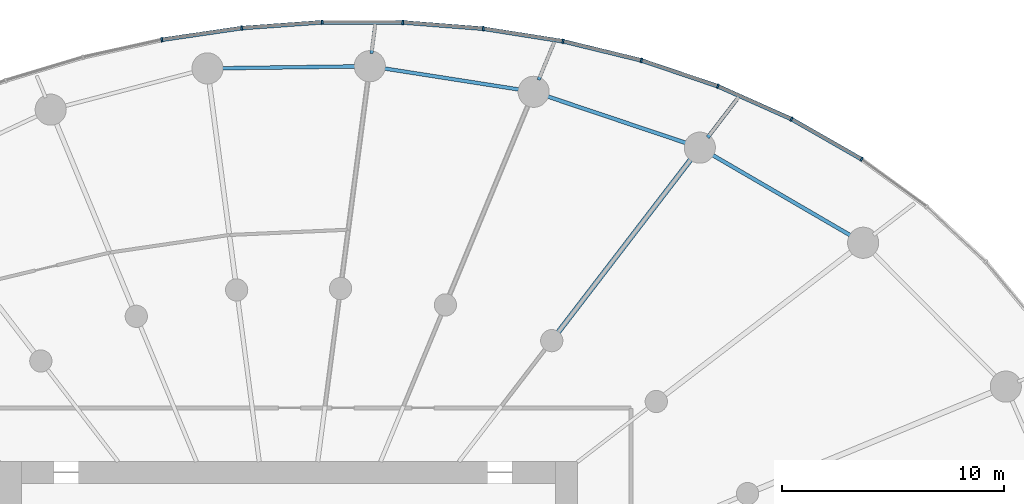
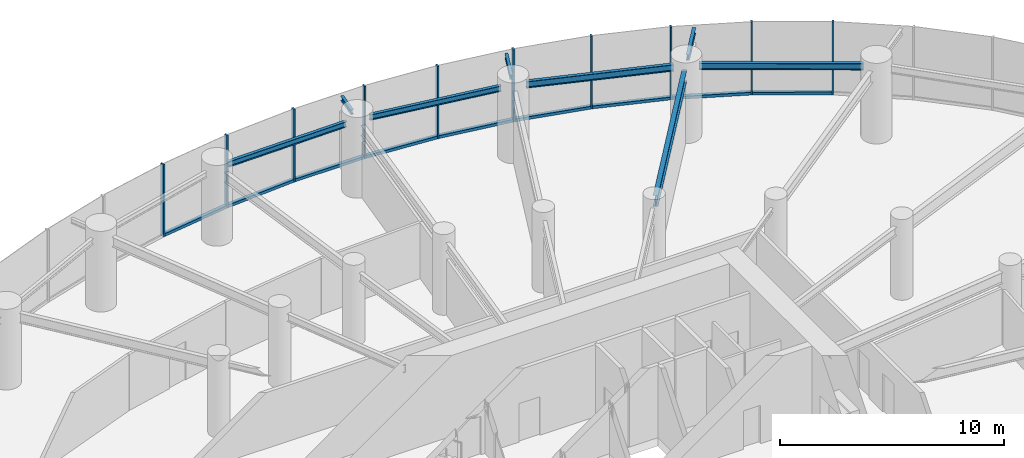
# One storey, part 8 of 19: 19 members, 8 beams, 2 elements without a shape of their own.
"""IFC4 building model written with IfcOpenShell, lengths in metres."""

import ifcopenshell
import ifcopenshell.guid

model = None  # the IFC model being written
_history = None  # IfcOwnerHistory: only IFC2X3 demands one
_inside = {}  # id of a spatial element -> (the spatial element, [elements in it])
_under = {}  # id of a project, library or spatial element -> (it, [spatial elements below it])
_declared = {}  # id of a project -> (the project, [libraries it declares])
_typed = {}  # id of a type object -> (the type object, [elements of that type])
_made_of = {}  # id of a material, layer set ... -> (it, [elements and type objects made of it])


def new_model(schema):
    """Start an empty IFC model of exactly this schema.

    Asked for "IFC4X3", IfcOpenShell would pick the latest addendum, in which some entities
    have other attributes; the version numbers below select the first issue.
    IFC2X3 requires an IfcOwnerHistory on every rooted entity: one is made here for all.
    """
    global model, _history
    if schema == "IFC4X3":
        model = ifcopenshell.file(schema_version=(4, 3, 0, 0))
    else:
        model = ifcopenshell.file(schema=schema)
    _inside.clear()
    _under.clear()
    _declared.clear()
    _typed.clear()
    _made_of.clear()
    _history = None
    if model.schema == "IFC2X3":
        org = make("IfcOrganization", Name="unknown")
        user = make(
            "IfcPersonAndOrganization",
            ThePerson=make("IfcPerson", FamilyName="unknown"),
            TheOrganization=org,
        )
        app = make(
            "IfcApplication",
            ApplicationDeveloper=org,
            Version="unknown",
            ApplicationFullName="unknown",
            ApplicationIdentifier="unknown",
        )
        _history = make(
            "IfcOwnerHistory",
            OwningUser=user,
            OwningApplication=app,
            ChangeAction="ADDED",
            CreationDate=0,
        )
    return model


def make(cls, **values):
    """One entity of the class cls with the attributes given. An attribute that is None is left unset."""
    return model.create_entity(
        cls, **{name: value for name, value in values.items() if value is not None}
    )


def rooted(cls, **values):
    """An entity with a GlobalId (a new one), such as an element, a storey or a relation."""
    return make(cls, GlobalId=ifcopenshell.guid.new(), OwnerHistory=_history, **values)


def si_unit(unit_type, name, prefix=None):
    """IfcSIUnit, for example si_unit("LENGTHUNIT", "METRE", prefix="MILLI")."""
    return make("IfcSIUnit", UnitType=unit_type, Prefix=prefix, Name=name)


def assignment(units):
    """IfcUnitAssignment: the units of a project."""
    return None if units is None else make("IfcUnitAssignment", Units=units)


def point(xyz):
    """IfcCartesianPoint."""
    return None if xyz is None else make("IfcCartesianPoint", Coordinates=xyz)


def direction(xyz):
    """IfcDirection."""
    return None if xyz is None else make("IfcDirection", DirectionRatios=xyz)


def frame(location, z_axis=None, x_axis=None):
    """IfcAxis2Placement3D, a coordinate frame: its origin and axes. An axis left out is left unset."""
    return make(
        "IfcAxis2Placement3D",
        Location=point(location),
        Axis=direction(z_axis),
        RefDirection=direction(x_axis),
    )


def frame_2d(location, x_axis=None):
    """IfcAxis2Placement2D, a coordinate frame in the plane: its origin and x axis."""
    return make(
        "IfcAxis2Placement2D", Location=point(location), RefDirection=direction(x_axis)
    )


def origin():
    """The frame at (0, 0, 0) with its axes left unset."""
    return frame((0.0, 0.0, 0.0))


def origin_2d():
    """The frame at (0, 0) in the plane with its x axis left unset."""
    return frame_2d((0.0, 0.0))


def place(relative_to, where):
    """IfcLocalPlacement: puts the frame where relative to a parent placement (None: the world)."""
    return make(
        "IfcLocalPlacement", PlacementRelTo=relative_to, RelativePlacement=where
    )


def context(
    kind, dimensions, precision=None, world=None, true_north=None, identifier=None
):
    """IfcGeometricRepresentationContext, for example the 3D "Model" context."""
    return make(
        "IfcGeometricRepresentationContext",
        ContextIdentifier=identifier,
        ContextType=kind,
        CoordinateSpaceDimension=dimensions,
        Precision=precision,
        WorldCoordinateSystem=world,
        TrueNorth=true_north,
    )


def subcontext(parent, identifier, kind, view, scale=None):
    """IfcGeometricRepresentationSubContext, for example "Body" below "Model"."""
    return make(
        "IfcGeometricRepresentationSubContext",
        ContextIdentifier=identifier,
        ContextType=kind,
        ParentContext=parent,
        TargetScale=scale,
        TargetView=view,
    )


def project(units=None, contexts=None):
    """IfcProject with its units and contexts."""
    return rooted(
        "IfcProject",
        Name="project",
        RepresentationContexts=contexts,
        UnitsInContext=assignment(units),
    )


def spatial(cls, under=None, at=None, **own):
    """A site, building, storey or space (cls), placed at a placement, below another one or the project."""
    s = rooted(cls, ObjectPlacement=at, **own)
    if under is not None:
        _under.setdefault(under.id(), (under, []))[1].append(s)
    return s


def profile(cls, at=None, kind="AREA", **sizes):
    """A parametric profile (cls). Its sizes go by their IFC names, for example OverallWidth=200.0."""
    return make(cls, ProfileType=kind, Position=at, **sizes)


def rectangle(**sizes):
    """IfcRectangleProfileDef."""
    return profile("IfcRectangleProfileDef", **sizes)


def i_section(**sizes):
    """IfcIShapeProfileDef."""
    return profile("IfcIShapeProfileDef", **sizes)


def extrude(swept, where, along, depth):
    """IfcExtrudedAreaSolid: the profile swept, set in the frame where, extruded along a direction by depth."""
    return make(
        "IfcExtrudedAreaSolid",
        SweptArea=swept,
        Position=where,
        ExtrudedDirection=direction(along),
        Depth=depth,
    )


def shape(context_of_items, identifier, shape_type, items):
    """IfcShapeRepresentation: the items that make up one representation, for example the "Body"."""
    return make(
        "IfcShapeRepresentation",
        ContextOfItems=context_of_items,
        RepresentationIdentifier=identifier,
        RepresentationType=shape_type,
        Items=items,
    )


def source(mapping_origin, context_of_items, identifier, shape_type, items):
    """IfcRepresentationMap: a shape defined once, which mapped items show again and again."""
    return make(
        "IfcRepresentationMap",
        MappingOrigin=mapping_origin,
        MappedRepresentation=shape(context_of_items, identifier, shape_type, items),
    )


def transform(
    local_origin,
    x_axis=None,
    y_axis=None,
    z_axis=None,
    scale=None,
    scale2=None,
    scale3=None,
    uniform=True,
):
    """IfcCartesianTransformationOperator3D, or its non-uniform kind. x_axis, y_axis, z_axis: its Axis1, 2, 3."""
    if uniform:
        return make(
            "IfcCartesianTransformationOperator3D",
            Axis1=direction(x_axis),
            Axis2=direction(y_axis),
            LocalOrigin=point(local_origin),
            Scale=scale,
            Axis3=direction(z_axis),
        )
    return make(
        "IfcCartesianTransformationOperator3DnonUniform",
        Axis1=direction(x_axis),
        Axis2=direction(y_axis),
        LocalOrigin=point(local_origin),
        Scale=scale,
        Axis3=direction(z_axis),
        Scale2=scale2,
        Scale3=scale3,
    )


def mapped(mapping_source, mapping_target):
    """IfcMappedItem: shows the shape of a source again, moved by a transform."""
    return make(
        "IfcMappedItem", MappingSource=mapping_source, MappingTarget=mapping_target
    )


def material(Name=None, Category=None):
    """IfcMaterial."""
    return make("IfcMaterial", Name=Name, Category=Category)


def layer(
    of_material, thickness, ventilated=None, Name=None, Category=None, Priority=None
):
    """IfcMaterialLayer: one layer of a wall or slab, of a material (None: an air gap)."""
    return make(
        "IfcMaterialLayer",
        Material=of_material,
        LayerThickness=thickness,
        IsVentilated=ventilated,
        Name=Name,
        Category=Category,
        Priority=Priority,
    )


def layer_set(layers, Name=None):
    """IfcMaterialLayerSet."""
    return make("IfcMaterialLayerSet", MaterialLayers=layers, LayerSetName=Name)


def material_profile(
    of_material, cross_section, Name=None, Category=None, Priority=None
):
    """IfcMaterialProfile: a cross section and its material."""
    return make(
        "IfcMaterialProfile",
        Name=Name,
        Material=of_material,
        Profile=cross_section,
        Priority=Priority,
        Category=Category,
    )


def profile_set(profiles, Name=None, composite=None):
    """IfcMaterialProfileSet."""
    return make(
        "IfcMaterialProfileSet",
        Name=Name,
        MaterialProfiles=profiles,
        CompositeProfile=composite,
    )


def made_of(thing, what):
    """Note that an element or type object is made of a material, layer set ...; save() writes the relation."""
    if what is not None:
        _made_of.setdefault(what.id(), (what, []))[1].append(thing)
    return thing


def type_object(cls, material=None, **own):
    """A type object (cls), such as IfcWallType, which elements share."""
    return made_of(rooted(cls, **own), material)


def element(
    cls,
    number,
    at=None,
    inside=None,
    cuts=None,
    type_object=None,
    material=None,
    context=None,
    identifier="Body",
    shape_type=None,
    held_by="IfcProductDefinitionShape",
    body=None,
    shapes=None,
    **own,
):
    """One element of the class cls, such as IfcWall. Its Tag is "e" and its number.

    at: its placement. inside: the storey or other place that contains it. cuts: it is an
    opening in that element (IfcRelVoidsElement). A single representation is given by context,
    identifier, shape_type and body (its items); several are given by shapes. held_by: the class
    of the entity that holds the representations. save() writes the other relations.
    """
    e = rooted(cls, Tag="e%d" % number, ObjectPlacement=at, **own)
    if body is not None:
        shapes = [shape(context, identifier, shape_type, body)]
    if shapes is not None:
        e.Representation = make(held_by, Representations=shapes)
    if inside is not None:
        _inside.setdefault(inside.id(), (inside, []))[1].append(e)
    if cuts is not None:
        rooted(
            "IfcRelVoidsElement", RelatingBuildingElement=cuts, RelatedOpeningElement=e
        )
    if type_object is not None:
        _typed.setdefault(type_object.id(), (type_object, []))[1].append(e)
    return made_of(e, material)


def aggregate(whole, parts):
    """IfcRelAggregates: a whole, such as a stair, and the parts it consists of."""
    return rooted("IfcRelAggregates", RelatingObject=whole, RelatedObjects=parts)


def save(model, path):
    """Write the relations noted so far, then the file.

    IfcRelAggregates (storeys below a building ...), IfcRelContainedInSpatialStructure (elements
    in a storey), IfcRelDefinesByType, IfcRelAssociatesMaterial and IfcRelDeclares: one each for
    every whole, place, type object, material and project.
    """
    for whole, parts in _under.values():
        aggregate(whole, parts)
    for where, things in _inside.values():
        rooted(
            "IfcRelContainedInSpatialStructure",
            RelatedElements=things,
            RelatingStructure=where,
        )
    for kind, things in _typed.values():
        rooted("IfcRelDefinesByType", RelatedObjects=things, RelatingType=kind)
    for what, things in _made_of.values():
        rooted("IfcRelAssociatesMaterial", RelatedObjects=things, RelatingMaterial=what)
    for by, libraries in _declared.values():
        rooted("IfcRelDeclares", RelatingContext=by, RelatedDefinitions=libraries)
    model.write(path)


model = new_model("IFC4")

# Units and contexts
model_context = context("Model", 3, precision=1e-05, world=origin(), true_north=direction((0.0, 1.0)))
body_context = subcontext(model_context, "Body", "Model", "MODEL_VIEW")
ifc_project = project(units=[si_unit("LENGTHUNIT", "METRE"), si_unit("AREAUNIT", "SQUARE_METRE"), si_unit("VOLUMEUNIT", "CUBIC_METRE"), si_unit("PLANEANGLEUNIT", "RADIAN"), si_unit("MASSUNIT", "GRAM", prefix="KILO")], contexts=[model_context])

# Site, building, storey
site_placement = place(None, origin())
site = spatial("IfcSite", under=ifc_project, at=site_placement, CompositionType="ELEMENT")
building_placement = place(site_placement, origin())
building = spatial("IfcBuilding", under=site, at=building_placement, Name="Spindrift Exchange Tower", CompositionType="ELEMENT")
storey_placement = place(building_placement, frame((0.0, 0.0, 44.60009765625)))
storey = spatial("IfcBuildingStorey", under=building, at=storey_placement, Name="L10", CompositionType="ELEMENT", Elevation=44.60009765625)

# Beams
ifc_material_1 = material(Name="Steel Grade 300", Category="steel")
ifc_material_profile_1 = material_profile(ifc_material_1, i_section(OverallWidth=0.22802734375, OverallDepth=0.60693359375, WebThickness=0.01123046875, FlangeThickness=0.017333984375, FilletRadius=0.013916015625, at=origin_2d()), Name="610UB113")
ifc_profile_set_1 = profile_set([ifc_material_profile_1], Name="Steel Grade 300")
beam_type_1 = type_object("IfcBeamType", Name="Floor Beam 610UB113 Steel Grade 300", PredefinedType="BEAM", material=ifc_profile_set_1)
shared_shape_1 = source(origin(), body_context, "Body", "SweptSolid", [
    extrude(i_section(OverallWidth=0.22802734375, OverallDepth=0.60693359375, WebThickness=0.01123046875, FlangeThickness=0.017333984375, FilletRadius=0.013916015625, at=origin_2d()), origin(), (0.0, 0.0, 1.0), 9.87548828125),
])
beam_1_placement = place(storey_placement, frame((64.127197265625, 63.8046875, 3.646484375), z_axis=(0.608772470836, 0.793344867477, 0.0), x_axis=(-0.793344867477, 0.608772470836, 0.0)))
element("IfcBeam", 1, at=beam_1_placement, inside=storey, type_object=beam_type_1, Name="L10 radial beam R04B", PredefinedType="BEAM", context=body_context, shape_type="MappedRepresentation", body=[
    mapped(shared_shape_1, transform((0.0, 0.0, 0.0), scale=1.0)),
])
ifc_material_profile_2 = material_profile(ifc_material_1, i_section(OverallWidth=0.172119140625, OverallDepth=0.35888671875, WebThickness=0.008056640625, FlangeThickness=0.012939453125, FilletRadius=0.013916015625, at=origin_2d()), Name="360UB56.7")
ifc_profile_set_2 = profile_set([ifc_material_profile_2], Name="Steel Grade 300")
beam_type_2 = type_object("IfcBeamType", Name="Edge Beam 360UB56.7 Steel Grade 300", PredefinedType="SPANDREL", material=ifc_profile_set_2)
shared_shape_2 = source(origin(), body_context, "Body", "SweptSolid", [
    extrude(i_section(OverallWidth=0.172119140625, OverallDepth=0.35888671875, WebThickness=0.008056640625, FlangeThickness=0.012939453125, FilletRadius=0.013916015625, at=origin_2d()), origin(), (0.0, 0.0, 1.0), 7.33740234375),
])
beam_2_placement = place(storey_placement, frame((77.33447265625, 68.1162109375, 3.7705078125), z_axis=(-0.864211826308, 0.503128134047, 0.0), x_axis=(-0.503128134047, -0.864211826308, 0.0)))
element("IfcBeam", 2, at=beam_2_placement, inside=storey, type_object=beam_type_2, Name="L10 edge beam E03", PredefinedType="SPANDREL", context=body_context, shape_type="MappedRepresentation", body=[
    mapped(shared_shape_2, transform((0.0, 0.0, 0.0), scale=1.0)),
])
shared_shape_3 = source(origin(), body_context, "Body", "SweptSolid", [
    extrude(i_section(OverallWidth=0.172119140625, OverallDepth=0.35888671875, WebThickness=0.008056640625, FlangeThickness=0.012939453125, FilletRadius=0.013916015625, at=origin_2d()), origin(), (0.0, 0.0, 1.0), 6.72021484375),
])
beam_3_placement = place(storey_placement, frame((69.9423828125, 72.28466796875, 3.7705078125), z_axis=(-0.947851749681, 0.318711563372, 0.0), x_axis=(-0.318711563372, -0.947851749681, 0.0)))
element("IfcBeam", 3, at=beam_3_placement, inside=storey, type_object=beam_type_2, Name="L10 edge beam E04", PredefinedType="SPANDREL", context=body_context, shape_type="MappedRepresentation", body=[
    mapped(shared_shape_3, transform((0.0, 0.0, 0.0), scale=1.0)),
])
ifc_material_profile_3 = material_profile(ifc_material_1, i_section(OverallWidth=0.1650390625, OverallDepth=0.303955078125, WebThickness=0.006103515625, FlangeThickness=0.01025390625, FilletRadius=0.011474609375, at=origin_2d()), Name="310UB40.4")
ifc_profile_set_3 = profile_set([ifc_material_profile_3], Name="Steel Grade 300")
beam_type_3 = type_object("IfcBeamType", Name="Edge Beam 310UB40.4 Steel Grade 300", PredefinedType="SPANDREL", material=ifc_profile_set_3)
shared_shape_4 = source(origin(), body_context, "Body", "SweptSolid", [
    extrude(i_section(OverallWidth=0.1650390625, OverallDepth=0.303955078125, WebThickness=0.006103515625, FlangeThickness=0.01025390625, FilletRadius=0.011474609375, at=origin_2d()), origin(), (0.0, 0.0, 1.0), 6.297119140625),
])
beam_4_placement = place(storey_placement, frame((62.44970703125, 74.70068359375, 3.7978515625), z_axis=(-0.98802902915, 0.154268070436, 0.0), x_axis=(-0.154268070436, -0.98802902915, 0.0)))
element("IfcBeam", 4, at=beam_4_placement, inside=storey, type_object=beam_type_3, Name="L10 edge beam E05", PredefinedType="SPANDREL", context=body_context, shape_type="MappedRepresentation", body=[
    mapped(shared_shape_4, transform((0.0, 0.0, 0.0), scale=1.0)),
])
shared_shape_5 = source(origin(), body_context, "Body", "SweptSolid", [
    extrude(i_section(OverallWidth=0.1650390625, OverallDepth=0.303955078125, WebThickness=0.006103515625, FlangeThickness=0.01025390625, FilletRadius=0.011474609375, at=origin_2d()), origin(), (0.0, 0.0, 1.0), 6.13720703125),
])
beam_5_placement = place(storey_placement, frame((55.074951171875, 75.75341796875, 3.7978515625), z_axis=(-0.999905820907, -0.013724041543, 0.0), x_axis=(0.013724041543, -0.999905820907, 0.0)))
element("IfcBeam", 5, at=beam_5_placement, inside=storey, type_object=beam_type_3, Name="L10 edge beam E06", PredefinedType="SPANDREL", context=body_context, shape_type="MappedRepresentation", body=[
    mapped(shared_shape_5, transform((0.0, 0.0, 0.0), scale=1.0)),
])
ifc_material_profile_4 = material_profile(ifc_material_1, i_section(OverallWidth=0.1650390625, OverallDepth=0.303955078125, WebThickness=0.006103515625, FlangeThickness=0.01025390625, FilletRadius=0.011474609375, at=origin_2d()), Name="310UB40.4")
ifc_profile_set_4 = profile_set([ifc_material_profile_4], Name="Steel Grade 300")
beam_type_4 = type_object("IfcBeamType", Name="Cantilever Beam 310UB40.4 Steel Grade 300", PredefinedType="BEAM", material=ifc_profile_set_4)
shared_shape_6 = source(origin(), body_context, "Body", "SweptSolid", [
    extrude(i_section(OverallWidth=0.1650390625, OverallDepth=0.303955078125, WebThickness=0.006103515625, FlangeThickness=0.01025390625, FilletRadius=0.011474609375, at=origin_2d()), origin(), (0.0, 0.0, 1.0), 2.16064453125),
])
beam_6_placement = place(storey_placement, frame((70.845458984375, 72.559814453125, 3.7978515625), z_axis=(0.60873278131, 0.793375321622, 0.0), x_axis=(-0.793375321622, 0.60873278131, 0.0)))
element("IfcBeam", 6, at=beam_6_placement, inside=storey, type_object=beam_type_4, Name="L10 cantilever beam R04T", PredefinedType="BEAM", context=body_context, shape_type="MappedRepresentation", body=[
    mapped(shared_shape_6, transform((0.0, 0.0, 0.0), scale=1.0)),
])
ifc_material_profile_5 = material_profile(ifc_material_1, i_section(OverallWidth=0.14599609375, OverallDepth=0.251953125, WebThickness=0.006103515625, FlangeThickness=0.008544921875, FilletRadius=0.011962890625, at=origin_2d()), Name="250UB31.4")
ifc_profile_set_5 = profile_set([ifc_material_profile_5], Name="Steel Grade 300")
beam_type_5 = type_object("IfcBeamType", Name="Cantilever Beam 250UB31.4 Steel Grade 300", PredefinedType="BEAM", material=ifc_profile_set_5)
shared_shape_7 = source(origin(), body_context, "Body", "SweptSolid", [
    extrude(i_section(OverallWidth=0.14599609375, OverallDepth=0.251953125, WebThickness=0.006103515625, FlangeThickness=0.008544921875, FilletRadius=0.011962890625, at=origin_2d()), origin(), (0.0, 0.0, 1.0), 1.72216796875),
])
beam_7_placement = place(storey_placement, frame((63.244873046875, 75.147216796875, 3.823974609375), z_axis=(0.382631424892, 0.923901072997, 0.0), x_axis=(-0.923901072997, 0.382631424892, 0.0)))
element("IfcBeam", 7, at=beam_7_placement, inside=storey, type_object=beam_type_5, Name="L10 cantilever beam R05T", PredefinedType="BEAM", context=body_context, shape_type="MappedRepresentation", body=[
    mapped(shared_shape_7, transform((0.0, 0.0, 0.0), scale=1.0)),
])
shared_shape_8 = source(origin(), body_context, "Body", "SweptSolid", [
    extrude(i_section(OverallWidth=0.14599609375, OverallDepth=0.251953125, WebThickness=0.006103515625, FlangeThickness=0.008544921875, FilletRadius=0.011962890625, at=origin_2d()), origin(), (0.0, 0.0, 1.0), 1.208740234375),
])
beam_8_placement = place(storey_placement, frame((55.730712890625, 76.33642578125, 3.823974609375), z_axis=(0.130271649793, 0.991478339279, 0.0), x_axis=(-0.991478339279, 0.130271649793, 0.0)))
element("IfcBeam", 8, at=beam_8_placement, inside=storey, type_object=beam_type_5, Name="L10 cantilever beam R06T", PredefinedType="BEAM", context=body_context, shape_type="MappedRepresentation", body=[
    mapped(shared_shape_8, transform((0.0, 0.0, 0.0), scale=1.0)),
])

# Curtain wall, members
ifc_material_2 = material(Name="Fritted laminated glass with bronze frame", Category="glass")
ifc_layer = layer(ifc_material_2, 0.199951171875)
ifc_layer_set = layer_set([ifc_layer], Name="ZONE 1 BRONZE FRITTED WALL")
curtain_wall_type = type_object("IfcCurtainWallType", Name="ZONE 1 BRONZE FRITTED WALL", PredefinedType="NOTDEFINED", material=ifc_layer_set)
curtain_wall_1_placement = place(storey_placement, origin())
curtain_wall_1 = element("IfcCurtainWall", 9, at=curtain_wall_1_placement, inside=storey, type_object=curtain_wall_type, Name="L10 Zone 1 Bronze Fritted Wall run 2", PredefinedType="NOTDEFINED")
ifc_material_3 = material(Name="Bronze anodised aluminium", Category="aluminium")
ifc_material_profile_6 = material_profile(ifc_material_3, rectangle(XDim=0.080078125, YDim=0.199951171875, at=origin_2d()), Name="ZONE 1 BRONZE FRITTED WALL MULLION 80X200")
ifc_profile_set_6 = profile_set([ifc_material_profile_6], Name="Bronze anodised aluminium")
member_type_1 = type_object("IfcMemberType", Name="ZONE 1 BRONZE FRITTED WALL MULLION 80X200", PredefinedType="MULLION", material=ifc_profile_set_6)
shared_shape_9 = source(origin(), body_context, "Body", "SweptSolid", [
    extrude(rectangle(XDim=0.080078125, YDim=0.199951171875, at=origin_2d()), origin(), (0.0, 0.0, 1.0), 3.949951171875),
])
member_1_placement = place(storey_placement, frame((77.75927734375, 71.58154296875, 0.0), z_axis=(0.0, 0.0, 1.0), x_axis=(-0.839186650102, 0.543843512687, 0.0)))
member_1 = element("IfcMember", 10, at=member_1_placement, type_object=member_type_1, Name="L10 mullion CW-1.7", PredefinedType="MULLION", context=body_context, shape_type="MappedRepresentation", body=[
    mapped(shared_shape_9, transform((0.0, 0.0, 0.0), scale=1.0)),
])
member_2_placement = place(storey_placement, frame((74.612548828125, 73.384521484375, 0.0), z_axis=(0.0, 0.0, 1.0), x_axis=(-0.891595554501, 0.452832603943, 0.0)))
member_2 = element("IfcMember", 11, at=member_2_placement, type_object=member_type_1, Name="L10 mullion CW-1.8", PredefinedType="MULLION", context=body_context, shape_type="MappedRepresentation", body=[
    mapped(shared_shape_9, transform((0.0, 0.0, 0.0), scale=1.0)),
])
member_3_placement = place(storey_placement, frame((71.30029296875, 74.862060546875, 0.0), z_axis=(0.0, 0.0, 1.0), x_axis=(-0.931267956619, 0.364335001029, 0.0)))
member_3 = element("IfcMember", 12, at=member_3_placement, type_object=member_type_1, Name="L10 mullion CW-1.9", PredefinedType="MULLION", context=body_context, shape_type="MappedRepresentation", body=[
    mapped(shared_shape_9, transform((0.0, 0.0, 0.0), scale=1.0)),
])
member_4_placement = place(storey_placement, frame((67.86474609375, 76.0244140625, 0.0), z_axis=(0.0, 0.0, 1.0), x_axis=(-0.960329445351, 0.278867990978, 0.0)))
member_4 = element("IfcMember", 13, at=member_4_placement, type_object=member_type_1, Name="L10 mullion CW-1.10", PredefinedType="MULLION", context=body_context, shape_type="MappedRepresentation", body=[
    mapped(shared_shape_9, transform((0.0, 0.0, 0.0), scale=1.0)),
])
member_5_placement = place(storey_placement, frame((64.340576171875, 76.883056640625, 0.0), z_axis=(0.0, 0.0, 1.0), x_axis=(-0.980508900087, 0.196474672289, 0.0)))
member_5 = element("IfcMember", 14, at=member_5_placement, type_object=member_type_1, Name="L10 mullion CW-1.11", PredefinedType="MULLION", context=body_context, shape_type="MappedRepresentation", body=[
    mapped(shared_shape_9, transform((0.0, 0.0, 0.0), scale=1.0)),
])
member_6_placement = place(storey_placement, frame((60.7578125, 77.448486328125, 0.0), z_axis=(0.0, 0.0, 1.0), x_axis=(-0.993138802476, 0.11694151964, 0.0)))
member_6 = element("IfcMember", 15, at=member_6_placement, type_object=member_type_1, Name="L10 mullion CW-1.12", PredefinedType="MULLION", context=body_context, shape_type="MappedRepresentation", body=[
    mapped(shared_shape_9, transform((0.0, 0.0, 0.0), scale=1.0)),
])

curtain_wall_2_placement = place(storey_placement, origin())
curtain_wall_2 = element("IfcCurtainWall", 16, at=curtain_wall_2_placement, inside=storey, type_object=curtain_wall_type, Name="L10 Zone 1 Bronze Fritted Wall run 3", PredefinedType="NOTDEFINED")
member_7_placement = place(storey_placement, frame((57.141357421875, 77.730712890625, 0.0), z_axis=(0.0, 0.0, 1.0), x_axis=(-0.999203951176, 0.039893156723, 0.0)))
member_7 = element("IfcMember", 17, at=member_7_placement, type_object=member_type_1, Name="L10 mullion CW-1.13", PredefinedType="MULLION", context=body_context, shape_type="MappedRepresentation", body=[
    mapped(shared_shape_9, transform((0.0, 0.0, 0.0), scale=1.0)),
])
member_8_placement = place(storey_placement, frame((53.513916015625, 77.73779296875, 0.0), z_axis=(0.0, 0.0, 1.0), x_axis=(-0.999383632365, -0.035104919327, 0.0)))
member_8 = element("IfcMember", 18, at=member_8_placement, type_object=member_type_1, Name="L10 mullion CW-1.14", PredefinedType="MULLION", context=body_context, shape_type="MappedRepresentation", body=[
    mapped(shared_shape_9, transform((0.0, 0.0, 0.0), scale=1.0)),
])
member_9_placement = place(storey_placement, frame((49.89599609375, 77.476318359375, 0.0), z_axis=(0.0, 0.0, 1.0), x_axis=(-0.994098393909, -0.108482179306, 0.0)))
member_9 = element("IfcMember", 19, at=member_9_placement, type_object=member_type_1, Name="L10 mullion CW-1.15", PredefinedType="MULLION", context=body_context, shape_type="MappedRepresentation", body=[
    mapped(shared_shape_9, transform((0.0, 0.0, 0.0), scale=1.0)),
])
member_10_placement = place(storey_placement, frame((46.306884765625, 76.951171875, 0.0), z_axis=(0.0, 0.0, 1.0), x_axis=(-0.983545056168, -0.180663008075, 0.0)))
member_10 = element("IfcMember", 20, at=member_10_placement, type_object=member_type_1, Name="L10 mullion CW-1.16", PredefinedType="MULLION", context=body_context, shape_type="MappedRepresentation", body=[
    mapped(shared_shape_9, transform((0.0, 0.0, 0.0), scale=1.0)),
])

# Member
ifc_material_profile_7 = material_profile(ifc_material_3, rectangle(XDim=0.179931640625, YDim=0.14990234375, at=origin_2d()), Name="ZONE 1 BRONZE FRITTED WALL TRANSOM 180X150")
ifc_profile_set_7 = profile_set([ifc_material_profile_7], Name="Bronze anodised aluminium")
member_type_2 = type_object("IfcMemberType", Name="ZONE 1 BRONZE FRITTED WALL TRANSOM 180X150", PredefinedType="USERDEFINED", material=ifc_profile_set_7)
shared_shape_10 = source(origin(), body_context, "Body", "SweptSolid", [
    extrude(rectangle(XDim=0.179931640625, YDim=0.14990234375, at=origin_2d()), origin(), (0.0, 0.0, 1.0), 3.546875),
])
member_11_placement = place(storey_placement, frame((71.262451171875, 74.874755859375, 0.074951171875), z_axis=(-0.947255837312, 0.320478359143, 0.0), x_axis=(-0.320478359143, -0.947255837312, 0.0)))
member_11 = element("IfcMember", 21, at=member_11_placement, type_object=member_type_2, Name="L10 transom CW-1.9", ObjectType="TRANSOM", PredefinedType="USERDEFINED", context=body_context, shape_type="MappedRepresentation", body=[
    mapped(shared_shape_10, transform((0.0, 0.0, 0.0), scale=1.0)),
])

shared_shape_11 = source(origin(), body_context, "Body", "SweptSolid", [
    extrude(rectangle(XDim=0.179931640625, YDim=0.14990234375, at=origin_2d()), origin(), (0.0, 0.0, 1.0), 3.54736328125),
])
member_12_placement = place(storey_placement, frame((67.825927734375, 76.033935546875, 0.074951171875), z_axis=(-0.971586381183, 0.236685242253, 0.0), x_axis=(-0.236685242253, -0.971586381183, 0.0)))
member_12 = element("IfcMember", 22, at=member_12_placement, type_object=member_type_2, Name="L10 transom CW-1.10", ObjectType="TRANSOM", PredefinedType="USERDEFINED", context=body_context, shape_type="MappedRepresentation", body=[
    mapped(shared_shape_11, transform((0.0, 0.0, 0.0), scale=1.0)),
])

member_13_placement = place(storey_placement, frame((64.301025390625, 76.88916015625, 0.074951171875), z_axis=(-0.987764081371, 0.155955505044, 0.0), x_axis=(-0.155955505044, -0.987764081371, 0.0)))
member_13 = element("IfcMember", 23, at=member_13_placement, type_object=member_type_2, Name="L10 transom CW-1.11", ObjectType="TRANSOM", PredefinedType="USERDEFINED", context=body_context, shape_type="MappedRepresentation", body=[
    mapped(shared_shape_11, transform((0.0, 0.0, 0.0), scale=1.0)),
])

member_14_placement = place(storey_placement, frame((57.101318359375, 77.730712890625, 0.074951171875), z_axis=(-0.999998143249, 0.00192704391, 0.0), x_axis=(-0.00192704391, -0.999998143249, 0.0)))
member_14 = element("IfcMember", 24, at=member_14_placement, type_object=member_type_2, Name="L10 transom CW-1.13", ObjectType="TRANSOM", PredefinedType="USERDEFINED", context=body_context, shape_type="MappedRepresentation", body=[
    mapped(shared_shape_11, transform((0.0, 0.0, 0.0), scale=1.0)),
])

member_15_placement = place(storey_placement, frame((53.47412109375, 77.73486328125, 0.074951171875), z_axis=(-0.997395426555, -0.07212740871, 0.0), x_axis=(0.07212740871, -0.997395426555, 0.0)))
member_15 = element("IfcMember", 25, at=member_15_placement, type_object=member_type_2, Name="L10 transom CW-1.14", ObjectType="TRANSOM", PredefinedType="USERDEFINED", context=body_context, shape_type="MappedRepresentation", body=[
    mapped(shared_shape_11, transform((0.0, 0.0, 0.0), scale=1.0)),
])

member_16_placement = place(storey_placement, frame((49.8564453125, 77.470458984375, 0.074951171875), z_axis=(-0.989470441567, -0.1447350865, 0.0), x_axis=(0.1447350865, -0.989470441567, 0.0)))
member_16 = element("IfcMember", 26, at=member_16_placement, type_object=member_type_2, Name="L10 transom CW-1.15", ObjectType="TRANSOM", PredefinedType="USERDEFINED", context=body_context, shape_type="MappedRepresentation", body=[
    mapped(shared_shape_11, transform((0.0, 0.0, 0.0), scale=1.0)),
])

aggregate(curtain_wall_2, [member_7, member_14, member_8, member_15, member_9, member_16, member_10])

shared_shape_12 = source(origin(), body_context, "Body", "SweptSolid", [
    extrude(rectangle(XDim=0.179931640625, YDim=0.14990234375, at=origin_2d()), origin(), (0.0, 0.0, 1.0), 3.547119140625),
])
member_17_placement = place(storey_placement, frame((60.7177734375, 77.45166015625, 0.074951171875), z_axis=(-0.996970903438, 0.077775431197, 0.0), x_axis=(-0.077775431197, -0.996970903438, 0.0)))
member_17 = element("IfcMember", 27, at=member_17_placement, type_object=member_type_2, Name="L10 transom CW-1.12", ObjectType="TRANSOM", PredefinedType="USERDEFINED", context=body_context, shape_type="MappedRepresentation", body=[
    mapped(shared_shape_12, transform((0.0, 0.0, 0.0), scale=1.0)),
])

shared_shape_13 = source(origin(), body_context, "Body", "SweptSolid", [
    extrude(rectangle(XDim=0.179931640625, YDim=0.14990234375, at=origin_2d()), origin(), (0.0, 0.0, 1.0), 3.546630859375),
])
member_18_placement = place(storey_placement, frame((77.724609375, 71.6015625, 0.074951171875), z_axis=(-0.867704635196, 0.49708014048, 0.0), x_axis=(-0.49708014048, -0.867704635196, 0.0)))
member_18 = element("IfcMember", 28, at=member_18_placement, type_object=member_type_2, Name="L10 transom CW-1.7", ObjectType="TRANSOM", PredefinedType="USERDEFINED", context=body_context, shape_type="MappedRepresentation", body=[
    mapped(shared_shape_13, transform((0.0, 0.0, 0.0), scale=1.0)),
])

member_19_placement = place(storey_placement, frame((74.575927734375, 73.40087890625, 0.074951171875), z_axis=(-0.913260012857, 0.407377158068, 0.0), x_axis=(-0.407377158068, -0.913260012857, 0.0)))
member_19 = element("IfcMember", 29, at=member_19_placement, type_object=member_type_2, Name="L10 transom CW-1.8", ObjectType="TRANSOM", PredefinedType="USERDEFINED", context=body_context, shape_type="MappedRepresentation", body=[
    mapped(shared_shape_13, transform((0.0, 0.0, 0.0), scale=1.0)),
])

aggregate(curtain_wall_1, [member_1, member_18, member_2, member_19, member_3, member_11, member_4, member_12, member_5, member_13, member_6, member_17])

save(model, "model.ifc")
